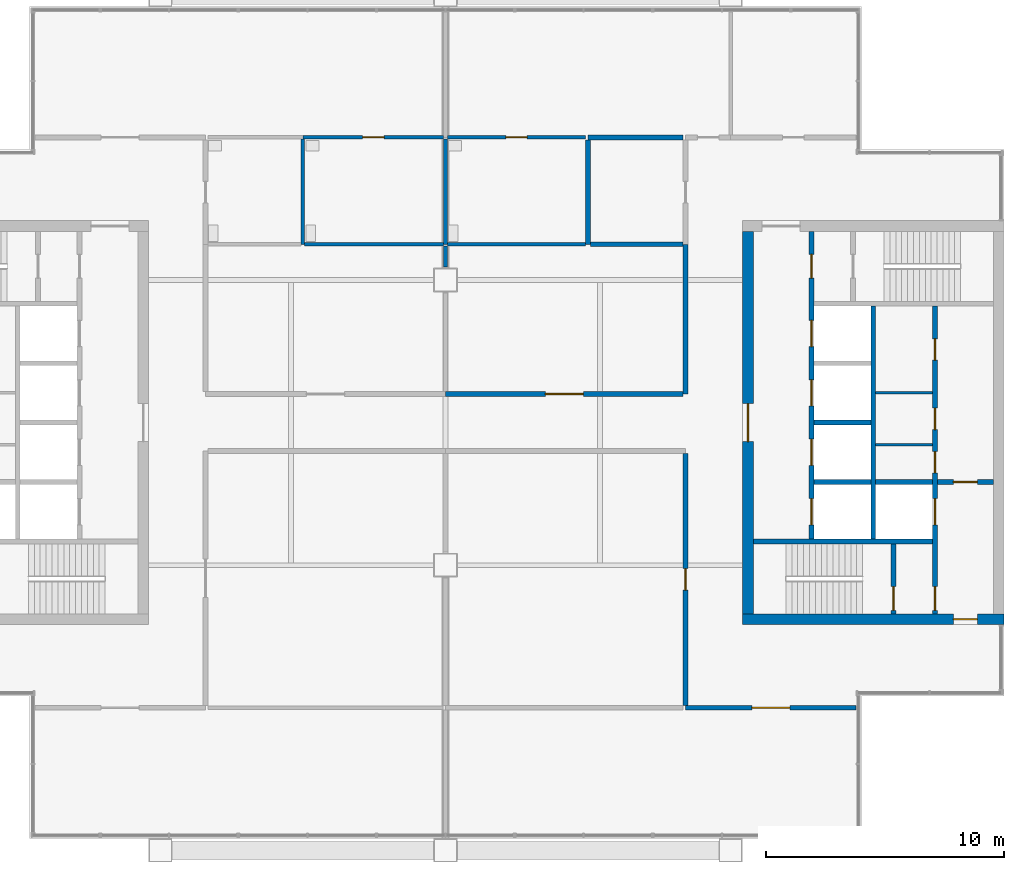
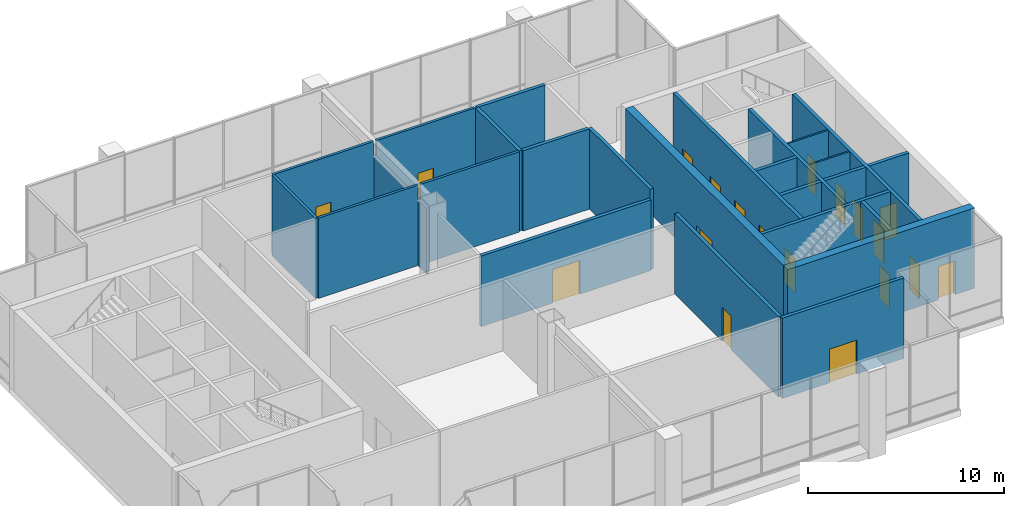
# One storey, part 12 of 15: 27 walls, 19 doors, 19 openings.
"""IFC4 building model written with IfcOpenShell, lengths in metres."""

import ifcopenshell
import ifcopenshell.guid

model = None  # the IFC model being written
_history = None  # IfcOwnerHistory: only IFC2X3 demands one
_inside = {}  # id of a spatial element -> (the spatial element, [elements in it])
_under = {}  # id of a project, library or spatial element -> (it, [spatial elements below it])
_declared = {}  # id of a project -> (the project, [libraries it declares])
_typed = {}  # id of a type object -> (the type object, [elements of that type])
_made_of = {}  # id of a material, layer set ... -> (it, [elements and type objects made of it])


def new_model(schema):
    """Start an empty IFC model of exactly this schema.

    Asked for "IFC4X3", IfcOpenShell would pick the latest addendum, in which some entities
    have other attributes; the version numbers below select the first issue.
    IFC2X3 requires an IfcOwnerHistory on every rooted entity: one is made here for all.
    """
    global model, _history
    if schema == "IFC4X3":
        model = ifcopenshell.file(schema_version=(4, 3, 0, 0))
    else:
        model = ifcopenshell.file(schema=schema)
    _inside.clear()
    _under.clear()
    _declared.clear()
    _typed.clear()
    _made_of.clear()
    _history = None
    if model.schema == "IFC2X3":
        org = make("IfcOrganization", Name="unknown")
        user = make(
            "IfcPersonAndOrganization",
            ThePerson=make("IfcPerson", FamilyName="unknown"),
            TheOrganization=org,
        )
        app = make(
            "IfcApplication",
            ApplicationDeveloper=org,
            Version="unknown",
            ApplicationFullName="unknown",
            ApplicationIdentifier="unknown",
        )
        _history = make(
            "IfcOwnerHistory",
            OwningUser=user,
            OwningApplication=app,
            ChangeAction="ADDED",
            CreationDate=0,
        )
    return model


def make(cls, **values):
    """One entity of the class cls with the attributes given. An attribute that is None is left unset."""
    return model.create_entity(
        cls, **{name: value for name, value in values.items() if value is not None}
    )


def rooted(cls, **values):
    """An entity with a GlobalId (a new one), such as an element, a storey or a relation."""
    return make(cls, GlobalId=ifcopenshell.guid.new(), OwnerHistory=_history, **values)


def si_unit(unit_type, name, prefix=None):
    """IfcSIUnit, for example si_unit("LENGTHUNIT", "METRE", prefix="MILLI")."""
    return make("IfcSIUnit", UnitType=unit_type, Prefix=prefix, Name=name)


def assignment(units):
    """IfcUnitAssignment: the units of a project."""
    return None if units is None else make("IfcUnitAssignment", Units=units)


def point(xyz):
    """IfcCartesianPoint."""
    return None if xyz is None else make("IfcCartesianPoint", Coordinates=xyz)


def direction(xyz):
    """IfcDirection."""
    return None if xyz is None else make("IfcDirection", DirectionRatios=xyz)


def frame(location, z_axis=None, x_axis=None):
    """IfcAxis2Placement3D, a coordinate frame: its origin and axes. An axis left out is left unset."""
    return make(
        "IfcAxis2Placement3D",
        Location=point(location),
        Axis=direction(z_axis),
        RefDirection=direction(x_axis),
    )


def frame_2d(location, x_axis=None):
    """IfcAxis2Placement2D, a coordinate frame in the plane: its origin and x axis."""
    return make(
        "IfcAxis2Placement2D", Location=point(location), RefDirection=direction(x_axis)
    )


def origin():
    """The frame at (0, 0, 0) with its axes left unset."""
    return frame((0.0, 0.0, 0.0))


def place(relative_to, where):
    """IfcLocalPlacement: puts the frame where relative to a parent placement (None: the world)."""
    return make(
        "IfcLocalPlacement", PlacementRelTo=relative_to, RelativePlacement=where
    )


def context(
    kind, dimensions, precision=None, world=None, true_north=None, identifier=None
):
    """IfcGeometricRepresentationContext, for example the 3D "Model" context."""
    return make(
        "IfcGeometricRepresentationContext",
        ContextIdentifier=identifier,
        ContextType=kind,
        CoordinateSpaceDimension=dimensions,
        Precision=precision,
        WorldCoordinateSystem=world,
        TrueNorth=true_north,
    )


def subcontext(parent, identifier, kind, view, scale=None):
    """IfcGeometricRepresentationSubContext, for example "Body" below "Model"."""
    return make(
        "IfcGeometricRepresentationSubContext",
        ContextIdentifier=identifier,
        ContextType=kind,
        ParentContext=parent,
        TargetScale=scale,
        TargetView=view,
    )


def project(units=None, contexts=None):
    """IfcProject with its units and contexts."""
    return rooted(
        "IfcProject",
        Name="project",
        RepresentationContexts=contexts,
        UnitsInContext=assignment(units),
    )


def spatial(cls, under=None, at=None, **own):
    """A site, building, storey or space (cls), placed at a placement, below another one or the project."""
    s = rooted(cls, ObjectPlacement=at, **own)
    if under is not None:
        _under.setdefault(under.id(), (under, []))[1].append(s)
    return s


def profile(cls, at=None, kind="AREA", **sizes):
    """A parametric profile (cls). Its sizes go by their IFC names, for example OverallWidth=200.0."""
    return make(cls, ProfileType=kind, Position=at, **sizes)


def rectangle(**sizes):
    """IfcRectangleProfileDef."""
    return profile("IfcRectangleProfileDef", **sizes)


def extrude(swept, where, along, depth):
    """IfcExtrudedAreaSolid: the profile swept, set in the frame where, extruded along a direction by depth."""
    return make(
        "IfcExtrudedAreaSolid",
        SweptArea=swept,
        Position=where,
        ExtrudedDirection=direction(along),
        Depth=depth,
    )


def shape(context_of_items, identifier, shape_type, items):
    """IfcShapeRepresentation: the items that make up one representation, for example the "Body"."""
    return make(
        "IfcShapeRepresentation",
        ContextOfItems=context_of_items,
        RepresentationIdentifier=identifier,
        RepresentationType=shape_type,
        Items=items,
    )


def material(Name=None, Category=None):
    """IfcMaterial."""
    return make("IfcMaterial", Name=Name, Category=Category)


def layer(
    of_material, thickness, ventilated=None, Name=None, Category=None, Priority=None
):
    """IfcMaterialLayer: one layer of a wall or slab, of a material (None: an air gap)."""
    return make(
        "IfcMaterialLayer",
        Material=of_material,
        LayerThickness=thickness,
        IsVentilated=ventilated,
        Name=Name,
        Category=Category,
        Priority=Priority,
    )


def layer_set(layers, Name=None):
    """IfcMaterialLayerSet."""
    return make("IfcMaterialLayerSet", MaterialLayers=layers, LayerSetName=Name)


def made_of(thing, what):
    """Note that an element or type object is made of a material, layer set ...; save() writes the relation."""
    if what is not None:
        _made_of.setdefault(what.id(), (what, []))[1].append(thing)
    return thing


def type_object(cls, material=None, **own):
    """A type object (cls), such as IfcWallType, which elements share."""
    return made_of(rooted(cls, **own), material)


def element(
    cls,
    number,
    at=None,
    inside=None,
    cuts=None,
    type_object=None,
    material=None,
    context=None,
    identifier="Body",
    shape_type=None,
    held_by="IfcProductDefinitionShape",
    body=None,
    shapes=None,
    **own,
):
    """One element of the class cls, such as IfcWall. Its Tag is "e" and its number.

    at: its placement. inside: the storey or other place that contains it. cuts: it is an
    opening in that element (IfcRelVoidsElement). A single representation is given by context,
    identifier, shape_type and body (its items); several are given by shapes. held_by: the class
    of the entity that holds the representations. save() writes the other relations.
    """
    e = rooted(cls, Tag="e%d" % number, ObjectPlacement=at, **own)
    if body is not None:
        shapes = [shape(context, identifier, shape_type, body)]
    if shapes is not None:
        e.Representation = make(held_by, Representations=shapes)
    if inside is not None:
        _inside.setdefault(inside.id(), (inside, []))[1].append(e)
    if cuts is not None:
        rooted(
            "IfcRelVoidsElement", RelatingBuildingElement=cuts, RelatedOpeningElement=e
        )
    if type_object is not None:
        _typed.setdefault(type_object.id(), (type_object, []))[1].append(e)
    return made_of(e, material)


def fill(opening, filler):
    """IfcRelFillsElement: the door or window that sits in an opening."""
    return rooted(
        "IfcRelFillsElement",
        RelatingOpeningElement=opening,
        RelatedBuildingElement=filler,
    )


def aggregate(whole, parts):
    """IfcRelAggregates: a whole, such as a stair, and the parts it consists of."""
    return rooted("IfcRelAggregates", RelatingObject=whole, RelatedObjects=parts)


def save(model, path):
    """Write the relations noted so far, then the file.

    IfcRelAggregates (storeys below a building ...), IfcRelContainedInSpatialStructure (elements
    in a storey), IfcRelDefinesByType, IfcRelAssociatesMaterial and IfcRelDeclares: one each for
    every whole, place, type object, material and project.
    """
    for whole, parts in _under.values():
        aggregate(whole, parts)
    for where, things in _inside.values():
        rooted(
            "IfcRelContainedInSpatialStructure",
            RelatedElements=things,
            RelatingStructure=where,
        )
    for kind, things in _typed.values():
        rooted("IfcRelDefinesByType", RelatedObjects=things, RelatingType=kind)
    for what, things in _made_of.values():
        rooted("IfcRelAssociatesMaterial", RelatedObjects=things, RelatingMaterial=what)
    for by, libraries in _declared.values():
        rooted("IfcRelDeclares", RelatingContext=by, RelatedDefinitions=libraries)
    model.write(path)


model = new_model("IFC4")

# Units and contexts
model_context = context("Model", 3, precision=1e-05, world=origin(), true_north=direction((0.0, 1.0)))
body_context = subcontext(model_context, "Body", "Model", "MODEL_VIEW")
ifc_project = project(units=[si_unit("LENGTHUNIT", "METRE"), si_unit("AREAUNIT", "SQUARE_METRE"), si_unit("VOLUMEUNIT", "CUBIC_METRE"), si_unit("PLANEANGLEUNIT", "RADIAN"), si_unit("MASSUNIT", "GRAM", prefix="KILO")], contexts=[model_context])

# Site, building, storey
site_placement = place(None, origin())
site = spatial("IfcSite", under=ifc_project, at=site_placement, CompositionType="ELEMENT")
building_placement = place(site_placement, origin())
building = spatial("IfcBuilding", under=site, at=building_placement, Name="Kitamizu Gate Tower and Museum", CompositionType="ELEMENT")
storey_placement = place(building_placement, frame((0.0, 0.0, 277.949951171875)))
storey = spatial("IfcBuildingStorey", under=building, at=storey_placement, Name="L75", CompositionType="ELEMENT", Elevation=277.949951171875)

# Wall, opening, door
ifc_material_1 = material(Name="Concrete Fc42", Category="concrete")
ifc_layer_1 = layer(ifc_material_1, 0.449951171875)
ifc_layer_set_1 = layer_set([ifc_layer_1], Name="Concrete Fc42")
wall_type_1 = type_object("IfcWallType", Name="Core wall 450 EI 60", PredefinedType="SHEAR", material=ifc_layer_set_1)
wall_1_placement = place(storey_placement, frame((59.5, 21.72509765625, 0.0), z_axis=(0.0, 0.0, 1.0), x_axis=(-1.0, 0.0, 0.0)))
wall_1 = element("IfcWall", 1, at=wall_1_placement, inside=storey, type_object=wall_type_1, Name="Core wall ES", PredefinedType="SHEAR", context=body_context, shape_type="SweptSolid", body=[
    extrude(rectangle(XDim=11.0, YDim=0.449951171875, at=frame_2d((5.5, 0.0))), origin(), (0.0, 0.0, 1.0), 5.0),
])
opening_1_placement = place(wall_1_placement, frame((1.125, 0.0, 0.0)))
opening_1 = element("IfcOpeningElement", 2, at=opening_1_placement, cuts=wall_1, Name="Opening L75-030", PredefinedType="OPENING", context=body_context, shape_type="SweptSolid", body=[
    extrude(rectangle(XDim=1.0, YDim=2.10009765625, at=frame_2d((0.5, 1.050048828125))), frame((0.0, 0.23486328125, 0.0), z_axis=(0.0, -1.0, 0.0), x_axis=(1.0, 0.0, 0.0)), (0.0, 0.0, 1.0), 0.469970703125),
])
ifc_material_2 = material(Name="Hollow metal door set")
door_type_1 = type_object("IfcDoorType", Name="Fire door 1000", OperationType="NOTDEFINED", PredefinedType="DOOR", material=ifc_material_2)
door_1_placement = place(opening_1_placement, frame((1.0, 0.0, 0.0), x_axis=(-1.0, 0.0, 0.0)))
door_1 = element("IfcDoor", 3, at=door_1_placement, inside=storey, type_object=door_type_1, Name="Fire-fighting lobby door L75-030", OperationType="SINGLE_SWING_LEFT", OverallHeight=2.10009765625, OverallWidth=1.0, PredefinedType="DOOR", context=body_context, shape_type="SweptSolid", body=[
    extrude(rectangle(XDim=1.0, YDim=2.10009765625, at=frame_2d((0.5, 1.050048828125))), frame((0.0, 0.02490234375, 0.0), z_axis=(0.0, -1.0, 0.0), x_axis=(1.0, 0.0, 0.0)), (0.0, 0.0, 1.0), 0.050048828125),
])
fill(opening_1, door_1)

wall_2_placement = place(storey_placement, frame((48.72509765625, 21.949951171875, 0.0), z_axis=(0.0, 0.0, 1.0), x_axis=(0.0, 1.0, 0.0)))
wall_2 = element("IfcWall", 4, at=wall_2_placement, inside=storey, type_object=wall_type_1, Name="Core wall EARC", PredefinedType="SHEAR", context=body_context, shape_type="SweptSolid", body=[
    extrude(rectangle(XDim=16.10009765625, YDim=0.449951171875, at=frame_2d((8.050048828125, 0.0))), origin(), (0.0, 0.0, 1.0), 5.0),
])
opening_2_placement = place(wall_2_placement, frame((7.25, 0.0, 0.0)))
opening_2 = element("IfcOpeningElement", 5, at=opening_2_placement, cuts=wall_2, Name="Opening L75-032", PredefinedType="OPENING", context=body_context, shape_type="SweptSolid", body=[
    extrude(rectangle(XDim=1.60009765625, YDim=2.10009765625, at=frame_2d((0.800048828125, 1.050048828125))), frame((0.0, 0.23486328125, 0.0), z_axis=(0.0, -1.0, 0.0), x_axis=(1.0, 0.0, 0.0)), (0.0, 0.0, 1.0), 0.469970703125),
])
ifc_material_3 = material(Name="Timber door set", Category="wood")
door_type_2 = type_object("IfcDoorType", Name="Entrance door 1600", OperationType="DOUBLE_DOOR_SINGLE_SWING", PredefinedType="DOOR", material=ifc_material_3)
door_2_placement = place(opening_2_placement, origin())
door_2 = element("IfcDoor", 6, at=door_2_placement, inside=storey, type_object=door_type_2, Name="Lobby door L75-032", OperationType="DOUBLE_DOOR_SINGLE_SWING", OverallHeight=2.10009765625, OverallWidth=1.60009765625, PredefinedType="DOOR", context=body_context, shape_type="SweptSolid", body=[
    extrude(rectangle(XDim=1.60009765625, YDim=2.10009765625, at=frame_2d((0.800048828125, 1.050048828125))), frame((0.0, 0.02490234375, 0.0), z_axis=(0.0, -1.0, 0.0), x_axis=(1.0, 0.0, 0.0)), (0.0, 0.0, 1.0), 0.050048828125),
])
fill(opening_2, door_2)

# Walls
ifc_material_4 = material(Name="Gypsum board on galvanised stud")
ifc_layer_2 = layer(ifc_material_4, 0.10009765625)
ifc_layer_set_2 = layer_set([ifc_layer_2], Name="Gypsum board on galvanised stud")
wall_type_2 = type_object("IfcWallType", Name="Partition 100", PredefinedType="PARTITIONING", material=ifc_layer_set_2)
for number, where, z_axis, x_axis, name in (
    (7, (56.5, 29.06005859375, 0.0), (0.0, 0.0, 1.0), (-1.0, 0.0, 0.0), "Partition EPF1"),
    (8, (56.5, 31.25, 0.0), (0.0, 0.0, 1.0), (-1.0, 0.0, 0.0), "Partition EPF2"),
):
    element("IfcWall", number, at=place(storey_placement, frame(where, z_axis=z_axis, x_axis=x_axis)), inside=storey, type_object=wall_type_2, Name=name, PredefinedType="PARTITIONING", context=body_context, shape_type="SweptSolid", body=[
        extrude(rectangle(XDim=2.39990234375, YDim=0.10009765625, at=frame_2d((1.199951171875, 0.0))), origin(), (0.0, 0.0, 1.0), 5.0),
    ])

# Wall, opening, door
ifc_material_5 = material(Name="Gypsum board on galvanised stud")
ifc_layer_3 = layer(ifc_material_5, 0.14990234375)
ifc_layer_set_3 = layer_set([ifc_layer_3], Name="Gypsum board on galvanised stud")
wall_type_3 = type_object("IfcWallType", Name="Partition 150", PredefinedType="PARTITIONING", material=ifc_layer_set_3)
wall_3_placement = place(storey_placement, frame((30.0, 42.0, 0.0), z_axis=(0.0, 0.0, 1.0), x_axis=(1.0, 0.0, 0.0)))
wall_3 = element("IfcWall", 9, at=wall_3_placement, inside=storey, type_object=wall_type_3, Name="Partition L75-021", PredefinedType="PARTITIONING", context=body_context, shape_type="SweptSolid", body=[
    extrude(rectangle(XDim=5.925048828125, YDim=0.14990234375, at=frame_2d((2.96240234375, 0.0))), origin(), (0.0, 0.0, 1.0), 5.0),
])
opening_3_placement = place(wall_3_placement, frame((2.512451171875, 0.0, 0.0)))
opening_3 = element("IfcOpeningElement", 10, at=opening_3_placement, cuts=wall_3, Name="Opening L75-009", PredefinedType="OPENING", context=body_context, shape_type="SweptSolid", body=[
    extrude(rectangle(XDim=0.89990234375, YDim=2.10009765625, at=frame_2d((0.449951171875, 1.050048828125))), frame((0.0, 0.0849609375, 0.0), z_axis=(0.0, -1.0, 0.0), x_axis=(1.0, 0.0, 0.0)), (0.0, 0.0, 1.0), 0.169921875),
])
ifc_material_6 = material(Name="Timber door set", Category="wood")
door_type_3 = type_object("IfcDoorType", Name="Room door 900", OperationType="NOTDEFINED", PredefinedType="DOOR", material=ifc_material_6)
door_3_placement = place(opening_3_placement, frame((0.89990234375, 0.0, 0.0), x_axis=(-1.0, 0.0, 0.0)))
door_3 = element("IfcDoor", 11, at=door_3_placement, inside=storey, type_object=door_type_3, Name="Door L75-009", OperationType="SINGLE_SWING_RIGHT", OverallHeight=2.10009765625, OverallWidth=0.89990234375, PredefinedType="DOOR", context=body_context, shape_type="SweptSolid", body=[
    extrude(rectangle(XDim=0.89990234375, YDim=2.10009765625, at=frame_2d((0.449951171875, 1.050048828125))), frame((0.0, 0.02490234375, 0.0), z_axis=(0.0, -1.0, 0.0), x_axis=(1.0, 0.0, 0.0)), (0.0, 0.0, 1.0), 0.050048828125),
])
fill(opening_3, door_3)

wall_4_placement = place(storey_placement, frame((36.074951171875, 42.0, 0.0), z_axis=(0.0, 0.0, 1.0), x_axis=(1.0, 0.0, 0.0)))
wall_4 = element("IfcWall", 12, at=wall_4_placement, inside=storey, type_object=wall_type_3, Name="Partition L75-023", PredefinedType="PARTITIONING", context=body_context, shape_type="SweptSolid", body=[
    extrude(rectangle(XDim=5.824951171875, YDim=0.14990234375, at=frame_2d((2.91259765625, 0.0))), origin(), (0.0, 0.0, 1.0), 5.0),
])
opening_4_placement = place(wall_4_placement, frame((2.46240234375, 0.0, 0.0)))
opening_4 = element("IfcOpeningElement", 13, at=opening_4_placement, cuts=wall_4, Name="Opening L75-010", PredefinedType="OPENING", context=body_context, shape_type="SweptSolid", body=[
    extrude(rectangle(XDim=0.89990234375, YDim=2.10009765625, at=frame_2d((0.449951171875, 1.050048828125))), frame((0.0, 0.0849609375, 0.0), z_axis=(0.0, -1.0, 0.0), x_axis=(1.0, 0.0, 0.0)), (0.0, 0.0, 1.0), 0.169921875),
])
door_4_placement = place(opening_4_placement, frame((0.89990234375, 0.0, 0.0), x_axis=(-1.0, 0.0, 0.0)))
door_4 = element("IfcDoor", 14, at=door_4_placement, inside=storey, type_object=door_type_3, Name="Door L75-010", OperationType="SINGLE_SWING_LEFT", OverallHeight=2.10009765625, OverallWidth=0.89990234375, PredefinedType="DOOR", context=body_context, shape_type="SweptSolid", body=[
    extrude(rectangle(XDim=0.89990234375, YDim=2.10009765625, at=frame_2d((0.449951171875, 1.050048828125))), frame((0.0, 0.02490234375, 0.0), z_axis=(0.0, -1.0, 0.0), x_axis=(1.0, 0.0, 0.0)), (0.0, 0.0, 1.0), 0.050048828125),
])
fill(opening_4, door_4)

# Walls
wall_5_placement = place(storey_placement, frame((30.0, 37.5, 0.0), z_axis=(0.0, 0.0, 1.0), x_axis=(0.0, 1.0, 0.0)))
element("IfcWall", 15, at=wall_5_placement, inside=storey, type_object=wall_type_3, Name="Partition L75-027", PredefinedType="PARTITIONING", context=body_context, shape_type="SweptSolid", body=[
    extrude(rectangle(XDim=4.425048828125, YDim=0.14990234375, at=frame_2d((2.21240234375, 0.0))), origin(), (0.0, 0.0, 1.0), 5.0),
])
wall_6_placement = place(storey_placement, frame((36.0, 37.5, 0.0), z_axis=(0.0, 0.0, 1.0), x_axis=(0.0, 1.0, 0.0)))
element("IfcWall", 16, at=wall_6_placement, inside=storey, type_object=wall_type_3, Name="Partition L75-029", PredefinedType="PARTITIONING", context=body_context, shape_type="SweptSolid", body=[
    extrude(rectangle(XDim=4.425048828125, YDim=0.14990234375, at=frame_2d((2.21240234375, 0.0))), origin(), (0.0, 0.0, 1.0), 4.10009765625),
])
wall_7_placement = place(storey_placement, frame((30.074951171875, 37.5, 0.0), z_axis=(0.0, 0.0, 1.0), x_axis=(1.0, 0.0, 0.0)))
element("IfcWall", 17, at=wall_7_placement, inside=storey, type_object=wall_type_3, Name="Partition L75-030", PredefinedType="PARTITIONING", context=body_context, shape_type="SweptSolid", body=[
    extrude(rectangle(XDim=5.85009765625, YDim=0.14990234375, at=frame_2d((2.925048828125, 0.0))), origin(), (0.0, 0.0, 1.0), 5.0),
])
wall_8_placement = place(storey_placement, frame((36.074951171875, 37.5, 0.0), z_axis=(0.0, 0.0, 1.0), x_axis=(1.0, 0.0, 0.0)))
element("IfcWall", 18, at=wall_8_placement, inside=storey, type_object=wall_type_3, Name="Partition L75-032", PredefinedType="PARTITIONING", context=body_context, shape_type="SweptSolid", body=[
    extrude(rectangle(XDim=5.824951171875, YDim=0.14990234375, at=frame_2d((2.91259765625, 0.0))), origin(), (0.0, 0.0, 1.0), 5.0),
])
wall_9_placement = place(storey_placement, frame((36.0, 36.550048828125, 0.0), z_axis=(0.0, 0.0, 1.0), x_axis=(0.0, 1.0, 0.0)))
element("IfcWall", 19, at=wall_9_placement, inside=storey, type_object=wall_type_3, Name="Partition L75-035", PredefinedType="PARTITIONING", context=body_context, shape_type="SweptSolid", body=[
    extrude(rectangle(XDim=0.875, YDim=0.14990234375, at=frame_2d((0.4375, 0.0))), origin(), (0.0, 0.0, 1.0), 4.10009765625),
])

# Wall, opening, door
ifc_material_7 = material(Name="Gypsum board on galvanised stud")
ifc_layer_4 = layer(ifc_material_7, 0.199951171875)
ifc_layer_set_4 = layer_set([ifc_layer_4], Name="Gypsum board on galvanised stud")
wall_type_4 = type_object("IfcWallType", Name="Partition 200", PredefinedType="PARTITIONING", material=ifc_layer_set_4)
wall_10_placement = place(storey_placement, frame((46.10009765625, 18.0, 0.0), z_axis=(0.0, 0.0, 1.0), x_axis=(1.0, 0.0, 0.0)))
wall_10 = element("IfcWall", 20, at=wall_10_placement, inside=storey, type_object=wall_type_4, Name="Partition L75-002", PredefinedType="PARTITIONING", context=body_context, shape_type="SweptSolid", body=[
    extrude(rectangle(XDim=7.179931640625, YDim=0.199951171875, at=frame_2d((3.58984375, 0.0))), origin(), (0.0, 0.0, 1.0), 5.0),
])
opening_5_placement = place(wall_10_placement, frame((2.7900390625, 0.0, 0.0)))
opening_5 = element("IfcOpeningElement", 21, at=opening_5_placement, cuts=wall_10, Name="Opening L75-002", PredefinedType="OPENING", context=body_context, shape_type="SweptSolid", body=[
    extrude(rectangle(XDim=1.60009765625, YDim=2.10009765625, at=frame_2d((0.800048828125, 1.050048828125))), frame((0.0, 0.10986328125, 0.0), z_axis=(0.0, -1.0, 0.0), x_axis=(1.0, 0.0, 0.0)), (0.0, 0.0, 1.0), 0.219970703125),
])
ifc_material_8 = material(Name="Timber door set", Category="wood")
door_type_4 = type_object("IfcDoorType", Name="Double door 1600", OperationType="DOUBLE_DOOR_SINGLE_SWING", PredefinedType="DOOR", material=ifc_material_8)
door_5_placement = place(opening_5_placement, origin())
door_5 = element("IfcDoor", 22, at=door_5_placement, inside=storey, type_object=door_type_4, Name="Double door L75-002", OperationType="DOUBLE_DOOR_SINGLE_SWING", OverallHeight=2.10009765625, OverallWidth=1.60009765625, PredefinedType="DOOR", context=body_context, shape_type="SweptSolid", body=[
    extrude(rectangle(XDim=1.60009765625, YDim=2.10009765625, at=frame_2d((0.800048828125, 1.050048828125))), frame((0.0, 0.02490234375, 0.0), z_axis=(0.0, -1.0, 0.0), x_axis=(1.0, 0.0, 0.0)), (0.0, 0.0, 1.0), 0.050048828125),
])
fill(opening_5, door_5)

wall_11_placement = place(storey_placement, frame((46.10009765625, 28.699951171875, 0.0), z_axis=(0.0, 0.0, 1.0), x_axis=(0.0, -1.0, 0.0)))
wall_11 = element("IfcWall", 23, at=wall_11_placement, inside=storey, type_object=wall_type_4, Name="Partition L75-009", PredefinedType="PARTITIONING", context=body_context, shape_type="SweptSolid", body=[
    extrude(rectangle(XDim=10.599853515625, YDim=0.199951171875, at=frame_2d((5.2998046875, 0.0))), origin(), (0.0, 0.0, 1.0), 5.0),
])
opening_6_placement = place(wall_11_placement, frame((4.85009765625, 0.0, 0.0)))
opening_6 = element("IfcOpeningElement", 24, at=opening_6_placement, cuts=wall_11, Name="Opening L75-007", PredefinedType="OPENING", context=body_context, shape_type="SweptSolid", body=[
    extrude(rectangle(XDim=0.89990234375, YDim=2.10009765625, at=frame_2d((0.449951171875, 1.050048828125))), frame((0.0, 0.10986328125, 0.0), z_axis=(0.0, -1.0, 0.0), x_axis=(1.0, 0.0, 0.0)), (0.0, 0.0, 1.0), 0.219970703125),
])
ifc_material_9 = material(Name="Timber door set", Category="wood")
door_type_5 = type_object("IfcDoorType", Name="Store door 900", OperationType="NOTDEFINED", PredefinedType="DOOR", material=ifc_material_9)
door_6_placement = place(opening_6_placement, frame((0.89990234375, 0.0, 0.0), x_axis=(-1.0, 0.0, 0.0)))
door_6 = element("IfcDoor", 25, at=door_6_placement, inside=storey, type_object=door_type_5, Name="Store door L75-007", OperationType="SINGLE_SWING_RIGHT", OverallHeight=2.10009765625, OverallWidth=0.89990234375, PredefinedType="DOOR", context=body_context, shape_type="SweptSolid", body=[
    extrude(rectangle(XDim=0.89990234375, YDim=2.10009765625, at=frame_2d((0.449951171875, 1.050048828125))), frame((0.0, 0.02490234375, 0.0), z_axis=(0.0, -1.0, 0.0), x_axis=(1.0, 0.0, 0.0)), (0.0, 0.0, 1.0), 0.050048828125),
])
fill(opening_6, door_6)

# Wall
wall_12_placement = place(storey_placement, frame((46.10009765625, 37.5, 0.0), z_axis=(0.0, 0.0, 1.0), x_axis=(0.0, -1.0, 0.0)))
element("IfcWall", 26, at=wall_12_placement, inside=storey, type_object=wall_type_4, Name="Partition L75-014", PredefinedType="PARTITIONING", context=body_context, shape_type="SweptSolid", body=[
    extrude(rectangle(XDim=6.300048828125, YDim=0.199951171875, at=frame_2d((3.14990234375, 0.0))), origin(), (0.0, 0.0, 1.0), 5.0),
])

# Wall, opening, door
wall_13_placement = place(storey_placement, frame((46.0, 31.199951171875, 0.0), z_axis=(0.0, 0.0, 1.0), x_axis=(-1.0, 0.0, 0.0)))
wall_13 = element("IfcWall", 27, at=wall_13_placement, inside=storey, type_object=wall_type_4, Name="Partition L75-015", PredefinedType="PARTITIONING", context=body_context, shape_type="SweptSolid", body=[
    extrude(rectangle(XDim=10.0, YDim=0.199951171875, at=frame_2d((5.0, 0.0))), origin(), (0.0, 0.0, 1.0), 4.400146484375),
])
opening_7_placement = place(wall_13_placement, frame((4.199951171875, 0.0, 0.0)))
opening_7 = element("IfcOpeningElement", 28, at=opening_7_placement, cuts=wall_13, Name="Opening L75-013", PredefinedType="OPENING", context=body_context, shape_type="SweptSolid", body=[
    extrude(rectangle(XDim=1.60009765625, YDim=2.10009765625, at=frame_2d((0.800048828125, 1.050048828125))), frame((0.0, 0.10986328125, 0.0), z_axis=(0.0, -1.0, 0.0), x_axis=(1.0, 0.0, 0.0)), (0.0, 0.0, 1.0), 0.219970703125),
])
door_7_placement = place(opening_7_placement, origin())
door_7 = element("IfcDoor", 29, at=door_7_placement, inside=storey, type_object=door_type_4, Name="Double door L75-013", OperationType="DOUBLE_DOOR_SINGLE_SWING", OverallHeight=2.10009765625, OverallWidth=1.60009765625, PredefinedType="DOOR", context=body_context, shape_type="SweptSolid", body=[
    extrude(rectangle(XDim=1.60009765625, YDim=2.10009765625, at=frame_2d((0.800048828125, 1.050048828125))), frame((0.0, 0.02490234375, 0.0), z_axis=(0.0, -1.0, 0.0), x_axis=(1.0, 0.0, 0.0)), (0.0, 0.0, 1.0), 0.050048828125),
])
fill(opening_7, door_7)

# Walls
wall_14_placement = place(storey_placement, frame((42.0, 42.0, 0.0), z_axis=(0.0, 0.0, 1.0), x_axis=(1.0, 0.0, 0.0)))
element("IfcWall", 30, at=wall_14_placement, inside=storey, type_object=wall_type_4, Name="Partition L75-024", PredefinedType="PARTITIONING", context=body_context, shape_type="SweptSolid", body=[
    extrude(rectangle(XDim=4.0, YDim=0.199951171875, at=frame_2d((2.0, 0.0))), origin(), (0.0, 0.0, 1.0), 5.0),
])
wall_15_placement = place(storey_placement, frame((42.0, 37.5, 0.0), z_axis=(0.0, 0.0, 1.0), x_axis=(0.0, 1.0, 0.0)))
element("IfcWall", 31, at=wall_15_placement, inside=storey, type_object=wall_type_4, Name="Partition L75-031", PredefinedType="PARTITIONING", context=body_context, shape_type="SweptSolid", body=[
    extrude(rectangle(XDim=4.39990234375, YDim=0.199951171875, at=frame_2d((2.199951171875, 0.0))), origin(), (0.0, 0.0, 1.0), 5.0),
])
wall_16_placement = place(storey_placement, frame((42.10009765625, 37.5, 0.0), z_axis=(0.0, 0.0, 1.0), x_axis=(1.0, 0.0, 0.0)))
element("IfcWall", 32, at=wall_16_placement, inside=storey, type_object=wall_type_4, Name="Partition L75-033", PredefinedType="PARTITIONING", context=body_context, shape_type="SweptSolid", body=[
    extrude(rectangle(XDim=3.89990234375, YDim=0.199951171875, at=frame_2d((1.949951171875, 0.0))), origin(), (0.0, 0.0, 1.0), 5.0),
])

# Wall, openings, doors
ifc_material_10 = material(Name="Concrete Fc42", Category="concrete")
ifc_layer_5 = layer(ifc_material_10, 0.199951171875)
ifc_layer_set_5 = layer_set([ifc_layer_5], Name="Concrete Fc42")
wall_type_5 = type_object("IfcWallType", Name="Shaft wall 200", PredefinedType="SOLIDWALL", material=ifc_layer_set_5)
wall_17_placement = place(storey_placement, frame((56.60009765625, 21.949951171875, 0.0), z_axis=(0.0, 0.0, 1.0), x_axis=(0.0, 1.0, 0.0)))
wall_17 = element("IfcWall", 33, at=wall_17_placement, inside=storey, type_object=wall_type_5, Name="Shaft wall EWEST", PredefinedType="SOLIDWALL", context=body_context, shape_type="SweptSolid", body=[
    extrude(rectangle(XDim=12.949951171875, YDim=0.199951171875, at=frame_2d((6.47509765625, 0.0))), origin(), (0.0, 0.0, 1.0), 5.0),
])
opening_8_placement = place(wall_17_placement, frame((3.75, 0.0, 0.0)))
opening_8 = element("IfcOpeningElement", 34, at=opening_8_placement, cuts=wall_17, Name="Opening LD", PredefinedType="OPENING", context=body_context, shape_type="SweptSolid", body=[
    extrude(rectangle(XDim=1.10009765625, YDim=2.10009765625, at=frame_2d((0.550048828125, 1.050048828125))), frame((0.0, 0.10986328125, 0.0), z_axis=(0.0, -1.0, 0.0), x_axis=(1.0, 0.0, 0.0)), (0.0, 0.0, 1.0), 0.219970703125),
])
opening_9_placement = place(wall_17_placement, frame((0.14990234375, 0.0, 0.0)))
opening_9 = element("IfcOpeningElement", 35, at=opening_9_placement, cuts=wall_17, Name="Opening L75-026", PredefinedType="OPENING", context=body_context, shape_type="SweptSolid", body=[
    extrude(rectangle(XDim=1.0, YDim=2.10009765625, at=frame_2d((0.5, 1.050048828125))), frame((0.0, 0.10986328125, 0.0), z_axis=(0.0, -1.0, 0.0), x_axis=(1.0, 0.0, 0.0)), (0.0, 0.0, 1.0), 0.219970703125),
])
opening_10_placement = place(wall_17_placement, frame((5.929931640625, 0.0, 0.0)))
opening_10 = element("IfcOpeningElement", 36, at=opening_10_placement, cuts=wall_17, Name="Opening L75-033", PredefinedType="OPENING", context=body_context, shape_type="SweptSolid", body=[
    extrude(rectangle(XDim=0.89990234375, YDim=2.10009765625, at=frame_2d((0.449951171875, 1.050048828125))), frame((0.0, 0.10986328125, 0.0), z_axis=(0.0, -1.0, 0.0), x_axis=(1.0, 0.0, 0.0)), (0.0, 0.0, 1.0), 0.219970703125),
])
opening_11_placement = place(wall_17_placement, frame((7.7548828125, 0.0, 0.0)))
opening_11 = element("IfcOpeningElement", 37, at=opening_11_placement, cuts=wall_17, Name="Opening L75-034", PredefinedType="OPENING", context=body_context, shape_type="SweptSolid", body=[
    extrude(rectangle(XDim=0.89990234375, YDim=2.10009765625, at=frame_2d((0.449951171875, 1.050048828125))), frame((0.0, 0.10986328125, 0.0), z_axis=(0.0, -1.0, 0.0), x_axis=(1.0, 0.0, 0.0)), (0.0, 0.0, 1.0), 0.219970703125),
])
opening_12_placement = place(wall_17_placement, frame((10.675048828125, 0.0, 0.0)))
opening_12 = element("IfcOpeningElement", 38, at=opening_12_placement, cuts=wall_17, Name="Opening L75-035", PredefinedType="OPENING", context=body_context, shape_type="SweptSolid", body=[
    extrude(rectangle(XDim=0.89990234375, YDim=2.10009765625, at=frame_2d((0.449951171875, 1.050048828125))), frame((0.0, 0.10986328125, 0.0), z_axis=(0.0, -1.0, 0.0), x_axis=(1.0, 0.0, 0.0)), (0.0, 0.0, 1.0), 0.219970703125),
])
door_8_placement = place(opening_9_placement, origin())
door_8 = element("IfcDoor", 39, at=door_8_placement, inside=storey, type_object=door_type_1, Name="Stair lobby door L75-026", OperationType="SINGLE_SWING_RIGHT", OverallHeight=2.10009765625, OverallWidth=1.0, PredefinedType="DOOR", context=body_context, shape_type="SweptSolid", body=[
    extrude(rectangle(XDim=1.0, YDim=2.10009765625, at=frame_2d((0.5, 1.050048828125))), frame((0.0, 0.02490234375, 0.0), z_axis=(0.0, -1.0, 0.0), x_axis=(1.0, 0.0, 0.0)), (0.0, 0.0, 1.0), 0.050048828125),
])
fill(opening_9, door_8)
ifc_material_11 = material(Name="Hollow metal door set")
door_type_6 = type_object("IfcDoorType", Name="Landing door 1100", OperationType="SLIDING_TO_LEFT", PredefinedType="DOOR", material=ifc_material_11)
door_9_placement = place(opening_8_placement, origin())
door_9 = element("IfcDoor", 40, at=door_9_placement, inside=storey, type_object=door_type_6, Name="Landing door EFF1", OperationType="SLIDING_TO_LEFT", OverallHeight=2.10009765625, OverallWidth=1.10009765625, PredefinedType="DOOR", context=body_context, shape_type="SweptSolid", body=[
    extrude(rectangle(XDim=1.10009765625, YDim=2.10009765625, at=frame_2d((0.550048828125, 1.050048828125))), frame((0.0, 0.02490234375, 0.0), z_axis=(0.0, -1.0, 0.0), x_axis=(1.0, 0.0, 0.0)), (0.0, 0.0, 1.0), 0.050048828125),
])
fill(opening_8, door_9)
ifc_material_12 = material(Name="Timber door set", Category="wood")
door_type_7 = type_object("IfcDoorType", Name="Service door 900", OperationType="NOTDEFINED", PredefinedType="DOOR", material=ifc_material_12)
door_10_placement = place(opening_10_placement, origin())
door_10 = element("IfcDoor", 41, at=door_10_placement, inside=storey, type_object=door_type_7, Name="Service door L75-033", OperationType="SINGLE_SWING_LEFT", OverallHeight=2.10009765625, OverallWidth=0.89990234375, PredefinedType="DOOR", context=body_context, shape_type="SweptSolid", body=[
    extrude(rectangle(XDim=0.89990234375, YDim=2.10009765625, at=frame_2d((0.449951171875, 1.050048828125))), frame((0.0, 0.02490234375, 0.0), z_axis=(0.0, -1.0, 0.0), x_axis=(1.0, 0.0, 0.0)), (0.0, 0.0, 1.0), 0.050048828125),
])
fill(opening_10, door_10)
door_11_placement = place(opening_11_placement, origin())
door_11 = element("IfcDoor", 42, at=door_11_placement, inside=storey, type_object=door_type_7, Name="Service door L75-034", OperationType="SINGLE_SWING_RIGHT", OverallHeight=2.10009765625, OverallWidth=0.89990234375, PredefinedType="DOOR", context=body_context, shape_type="SweptSolid", body=[
    extrude(rectangle(XDim=0.89990234375, YDim=2.10009765625, at=frame_2d((0.449951171875, 1.050048828125))), frame((0.0, 0.02490234375, 0.0), z_axis=(0.0, -1.0, 0.0), x_axis=(1.0, 0.0, 0.0)), (0.0, 0.0, 1.0), 0.050048828125),
])
fill(opening_11, door_11)
door_12_placement = place(opening_12_placement, origin())
door_12 = element("IfcDoor", 43, at=door_12_placement, inside=storey, type_object=door_type_7, Name="Service door L75-035", OperationType="SINGLE_SWING_LEFT", OverallHeight=2.10009765625, OverallWidth=0.89990234375, PredefinedType="DOOR", context=body_context, shape_type="SweptSolid", body=[
    extrude(rectangle(XDim=0.89990234375, YDim=2.10009765625, at=frame_2d((0.449951171875, 1.050048828125))), frame((0.0, 0.02490234375, 0.0), z_axis=(0.0, -1.0, 0.0), x_axis=(1.0, 0.0, 0.0)), (0.0, 0.0, 1.0), 0.050048828125),
])
fill(opening_12, door_12)

wall_18_placement = place(storey_placement, frame((51.39990234375, 25.10009765625, 0.0), z_axis=(0.0, 0.0, 1.0), x_axis=(0.0, 1.0, 0.0)))
wall_18 = element("IfcWall", 44, at=wall_18_placement, inside=storey, type_object=wall_type_5, Name="Shaft wall EEAST", PredefinedType="SOLIDWALL", context=body_context, shape_type="SweptSolid", body=[
    extrude(rectangle(XDim=12.949951171875, YDim=0.199951171875, at=frame_2d((6.47509765625, 0.0))), origin(), (0.0, 0.0, 1.0), 5.0),
])
opening_13_placement = place(wall_18_placement, frame((0.60009765625, 0.0, 0.0)))
opening_13 = element("IfcOpeningElement", 45, at=opening_13_placement, cuts=wall_18, Name="Opening LD", PredefinedType="OPENING", context=body_context, shape_type="SweptSolid", body=[
    extrude(rectangle(XDim=1.10009765625, YDim=2.10009765625, at=frame_2d((0.550048828125, 1.050048828125))), frame((0.0, 0.10986328125, 0.0), z_axis=(0.0, -1.0, 0.0), x_axis=(1.0, 0.0, 0.0)), (0.0, 0.0, 1.0), 0.219970703125),
])
opening_14_placement = place(wall_18_placement, frame((3.10009765625, 0.0, 0.0)))
opening_14 = element("IfcOpeningElement", 46, at=opening_14_placement, cuts=wall_18, Name="Opening LD", PredefinedType="OPENING", context=body_context, shape_type="SweptSolid", body=[
    extrude(rectangle(XDim=1.10009765625, YDim=2.10009765625, at=frame_2d((0.550048828125, 1.050048828125))), frame((0.0, 0.10986328125, 0.0), z_axis=(0.0, -1.0, 0.0), x_axis=(1.0, 0.0, 0.0)), (0.0, 0.0, 1.0), 0.219970703125),
])
opening_15_placement = place(wall_18_placement, frame((5.60009765625, 0.0, 0.0)))
opening_15 = element("IfcOpeningElement", 47, at=opening_15_placement, cuts=wall_18, Name="Opening LD", PredefinedType="OPENING", context=body_context, shape_type="SweptSolid", body=[
    extrude(rectangle(XDim=1.10009765625, YDim=2.10009765625, at=frame_2d((0.550048828125, 1.050048828125))), frame((0.0, 0.10986328125, 0.0), z_axis=(0.0, -1.0, 0.0), x_axis=(1.0, 0.0, 0.0)), (0.0, 0.0, 1.0), 0.219970703125),
])
opening_16_placement = place(wall_18_placement, frame((8.10009765625, 0.0, 0.0)))
opening_16 = element("IfcOpeningElement", 48, at=opening_16_placement, cuts=wall_18, Name="Opening LD", PredefinedType="OPENING", context=body_context, shape_type="SweptSolid", body=[
    extrude(rectangle(XDim=1.10009765625, YDim=2.10009765625, at=frame_2d((0.550048828125, 1.050048828125))), frame((0.0, 0.10986328125, 0.0), z_axis=(0.0, -1.0, 0.0), x_axis=(1.0, 0.0, 0.0)), (0.0, 0.0, 1.0), 0.219970703125),
])
opening_17_placement = place(wall_18_placement, frame((10.97509765625, 0.0, 0.0)))
opening_17 = element("IfcOpeningElement", 49, at=opening_17_placement, cuts=wall_18, Name="Opening L75-027", PredefinedType="OPENING", context=body_context, shape_type="SweptSolid", body=[
    extrude(rectangle(XDim=1.0, YDim=2.10009765625, at=frame_2d((0.5, 1.050048828125))), frame((0.0, 0.10986328125, 0.0), z_axis=(0.0, -1.0, 0.0), x_axis=(1.0, 0.0, 0.0)), (0.0, 0.0, 1.0), 0.219970703125),
])
door_13_placement = place(opening_17_placement, frame((1.0, 0.0, 0.0), x_axis=(-1.0, 0.0, 0.0)))
door_13 = element("IfcDoor", 50, at=door_13_placement, inside=storey, type_object=door_type_1, Name="Stair lobby door L75-027", OperationType="SINGLE_SWING_RIGHT", OverallHeight=2.10009765625, OverallWidth=1.0, PredefinedType="DOOR", context=body_context, shape_type="SweptSolid", body=[
    extrude(rectangle(XDim=1.0, YDim=2.10009765625, at=frame_2d((0.5, 1.050048828125))), frame((0.0, 0.02490234375, 0.0), z_axis=(0.0, -1.0, 0.0), x_axis=(1.0, 0.0, 0.0)), (0.0, 0.0, 1.0), 0.050048828125),
])
fill(opening_17, door_13)
door_14_placement = place(opening_13_placement, origin())
door_14 = element("IfcDoor", 51, at=door_14_placement, inside=storey, type_object=door_type_6, Name="Landing door ESV1", OperationType="SLIDING_TO_LEFT", OverallHeight=2.10009765625, OverallWidth=1.10009765625, PredefinedType="DOOR", context=body_context, shape_type="SweptSolid", body=[
    extrude(rectangle(XDim=1.10009765625, YDim=2.10009765625, at=frame_2d((0.550048828125, 1.050048828125))), frame((0.0, 0.02490234375, 0.0), z_axis=(0.0, -1.0, 0.0), x_axis=(1.0, 0.0, 0.0)), (0.0, 0.0, 1.0), 0.050048828125),
])
fill(opening_13, door_14)
door_15_placement = place(opening_14_placement, origin())
door_15 = element("IfcDoor", 52, at=door_15_placement, inside=storey, type_object=door_type_6, Name="Landing door EH1", OperationType="SLIDING_TO_LEFT", OverallHeight=2.10009765625, OverallWidth=1.10009765625, PredefinedType="DOOR", context=body_context, shape_type="SweptSolid", body=[
    extrude(rectangle(XDim=1.10009765625, YDim=2.10009765625, at=frame_2d((0.550048828125, 1.050048828125))), frame((0.0, 0.02490234375, 0.0), z_axis=(0.0, -1.0, 0.0), x_axis=(1.0, 0.0, 0.0)), (0.0, 0.0, 1.0), 0.050048828125),
])
fill(opening_14, door_15)
door_16_placement = place(opening_15_placement, origin())
door_16 = element("IfcDoor", 53, at=door_16_placement, inside=storey, type_object=door_type_6, Name="Landing door EH2", OperationType="SLIDING_TO_LEFT", OverallHeight=2.10009765625, OverallWidth=1.10009765625, PredefinedType="DOOR", context=body_context, shape_type="SweptSolid", body=[
    extrude(rectangle(XDim=1.10009765625, YDim=2.10009765625, at=frame_2d((0.550048828125, 1.050048828125))), frame((0.0, 0.02490234375, 0.0), z_axis=(0.0, -1.0, 0.0), x_axis=(1.0, 0.0, 0.0)), (0.0, 0.0, 1.0), 0.050048828125),
])
fill(opening_15, door_16)
door_17_placement = place(opening_16_placement, origin())
door_17 = element("IfcDoor", 54, at=door_17_placement, inside=storey, type_object=door_type_6, Name="Landing door EH3", OperationType="SLIDING_TO_LEFT", OverallHeight=2.10009765625, OverallWidth=1.10009765625, PredefinedType="DOOR", context=body_context, shape_type="SweptSolid", body=[
    extrude(rectangle(XDim=1.10009765625, YDim=2.10009765625, at=frame_2d((0.550048828125, 1.050048828125))), frame((0.0, 0.02490234375, 0.0), z_axis=(0.0, -1.0, 0.0), x_axis=(1.0, 0.0, 0.0)), (0.0, 0.0, 1.0), 0.050048828125),
])
fill(opening_16, door_17)

# Walls
wall_19_placement = place(storey_placement, frame((54.0, 25.10009765625, 0.0), z_axis=(0.0, 0.0, 1.0), x_axis=(0.0, 1.0, 0.0)))
element("IfcWall", 55, at=wall_19_placement, inside=storey, type_object=wall_type_5, Name="Shaft wall EMID", PredefinedType="SOLIDWALL", context=body_context, shape_type="SweptSolid", body=[
    extrude(rectangle(XDim=9.7998046875, YDim=0.199951171875, at=frame_2d((4.89990234375, 0.0))), origin(), (0.0, 0.0, 1.0), 5.0),
])
wall_20_placement = place(storey_placement, frame((56.5, 25.0, 0.0), z_axis=(0.0, 0.0, 1.0), x_axis=(-1.0, 0.0, 0.0)))
element("IfcWall", 56, at=wall_20_placement, inside=storey, type_object=wall_type_5, Name="Shaft wall ESB", PredefinedType="SOLIDWALL", context=body_context, shape_type="SweptSolid", body=[
    extrude(rectangle(XDim=7.550048828125, YDim=0.199951171875, at=frame_2d((3.77490234375, 0.0))), origin(), (0.0, 0.0, 1.0), 5.0),
])

# Wall, opening, door
wall_21_placement = place(storey_placement, frame((59.050048828125, 27.5, 0.0), z_axis=(0.0, 0.0, 1.0), x_axis=(-1.0, 0.0, 0.0)))
wall_21 = element("IfcWall", 57, at=wall_21_placement, inside=storey, type_object=wall_type_5, Name="Shaft wall EFFN", PredefinedType="SOLIDWALL", context=body_context, shape_type="SweptSolid", body=[
    extrude(rectangle(XDim=2.35009765625, YDim=0.199951171875, at=frame_2d((1.175048828125, 0.0))), origin(), (0.0, 0.0, 1.0), 5.0),
])
opening_18_placement = place(wall_21_placement, frame((0.675048828125, 0.0, 0.0)))
opening_18 = element("IfcOpeningElement", 58, at=opening_18_placement, cuts=wall_21, Name="Opening L75-029", PredefinedType="OPENING", context=body_context, shape_type="SweptSolid", body=[
    extrude(rectangle(XDim=1.0, YDim=2.10009765625, at=frame_2d((0.5, 1.050048828125))), frame((0.0, 0.10986328125, 0.0), z_axis=(0.0, -1.0, 0.0), x_axis=(1.0, 0.0, 0.0)), (0.0, 0.0, 1.0), 0.219970703125),
])
door_18_placement = place(opening_18_placement, origin())
door_18 = element("IfcDoor", 59, at=door_18_placement, inside=storey, type_object=door_type_1, Name="Fire-fighting lobby door L75-029", OperationType="SINGLE_SWING_LEFT", OverallHeight=2.10009765625, OverallWidth=1.0, PredefinedType="DOOR", context=body_context, shape_type="SweptSolid", body=[
    extrude(rectangle(XDim=1.0, YDim=2.10009765625, at=frame_2d((0.5, 1.050048828125))), frame((0.0, 0.02490234375, 0.0), z_axis=(0.0, -1.0, 0.0), x_axis=(1.0, 0.0, 0.0)), (0.0, 0.0, 1.0), 0.050048828125),
])
fill(opening_18, door_18)

wall_22_placement = place(storey_placement, frame((54.85009765625, 21.949951171875, 0.0), z_axis=(0.0, 0.0, 1.0), x_axis=(0.0, 1.0, 0.0)))
wall_22 = element("IfcWall", 60, at=wall_22_placement, inside=storey, type_object=wall_type_5, Name="Shaft wall ESZ", PredefinedType="SOLIDWALL", context=body_context, shape_type="SweptSolid", body=[
    extrude(rectangle(XDim=2.949951171875, YDim=0.199951171875, at=frame_2d((1.47509765625, 0.0))), origin(), (0.0, 0.0, 1.0), 5.0),
])
opening_19_placement = place(wall_22_placement, frame((0.14990234375, 0.0, 0.0)))
opening_19 = element("IfcOpeningElement", 61, at=opening_19_placement, cuts=wall_22, Name="Opening L75-025", PredefinedType="OPENING", context=body_context, shape_type="SweptSolid", body=[
    extrude(rectangle(XDim=1.0, YDim=2.10009765625, at=frame_2d((0.5, 1.050048828125))), frame((0.0, 0.10986328125, 0.0), z_axis=(0.0, -1.0, 0.0), x_axis=(1.0, 0.0, 0.0)), (0.0, 0.0, 1.0), 0.219970703125),
])
door_19_placement = place(opening_19_placement, origin())
door_19 = element("IfcDoor", 62, at=door_19_placement, inside=storey, type_object=door_type_1, Name="Stair door L75-025", OperationType="SINGLE_SWING_RIGHT", OverallHeight=2.10009765625, OverallWidth=1.0, PredefinedType="DOOR", context=body_context, shape_type="SweptSolid", body=[
    extrude(rectangle(XDim=1.0, YDim=2.10009765625, at=frame_2d((0.5, 1.050048828125))), frame((0.0, 0.02490234375, 0.0), z_axis=(0.0, -1.0, 0.0), x_axis=(1.0, 0.0, 0.0)), (0.0, 0.0, 1.0), 0.050048828125),
])
fill(opening_19, door_19)

# Walls
for number, where, z_axis, x_axis, name in (
    (63, (56.5, 27.5, 0.0), (0.0, 0.0, 1.0), (-1.0, 0.0, 0.0), "Shaft wall EDVW0"),
    (64, (53.89990234375, 27.5, 0.0), (0.0, 0.0, 1.0), (-1.0, 0.0, 0.0), "Shaft wall EDVE0"),
    (65, (53.89990234375, 30.0, 0.0), (0.0, 0.0, 1.0), (-1.0, 0.0, 0.0), "Shaft wall EDVE1"),
):
    element("IfcWall", number, at=place(storey_placement, frame(where, z_axis=z_axis, x_axis=x_axis)), inside=storey, type_object=wall_type_5, Name=name, PredefinedType="SOLIDWALL", context=body_context, shape_type="SweptSolid", body=[
        extrude(rectangle(XDim=2.39990234375, YDim=0.199951171875, at=frame_2d((1.199951171875, 0.0))), origin(), (0.0, 0.0, 1.0), 5.0),
    ])

save(model, "model.ifc")
